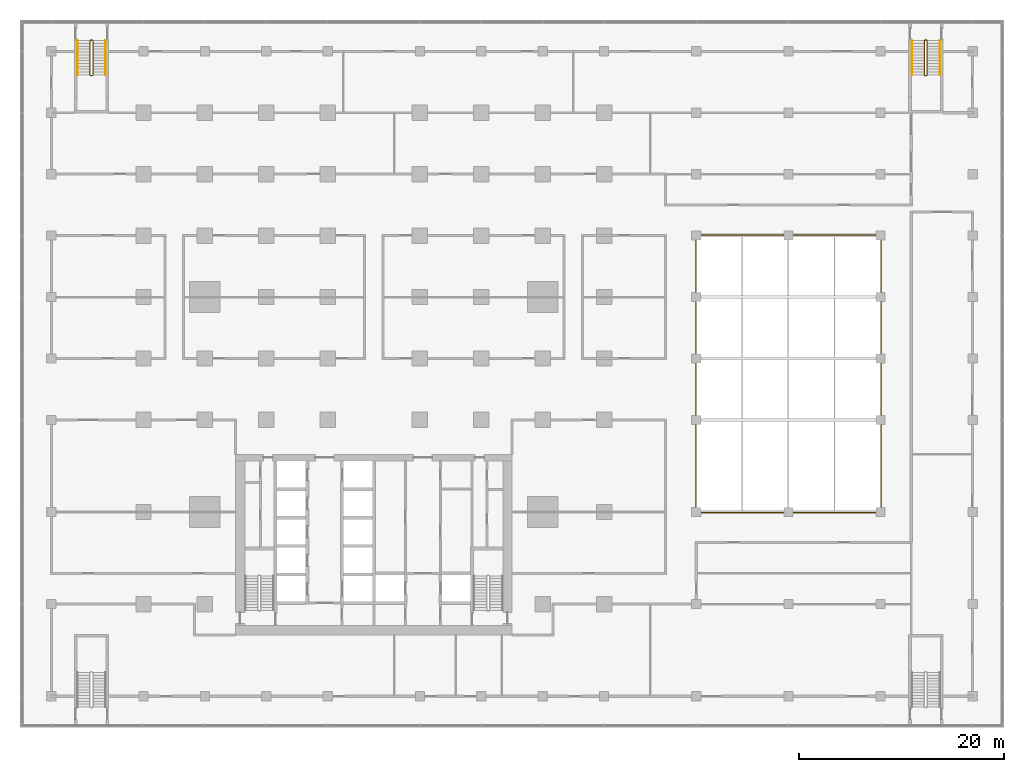
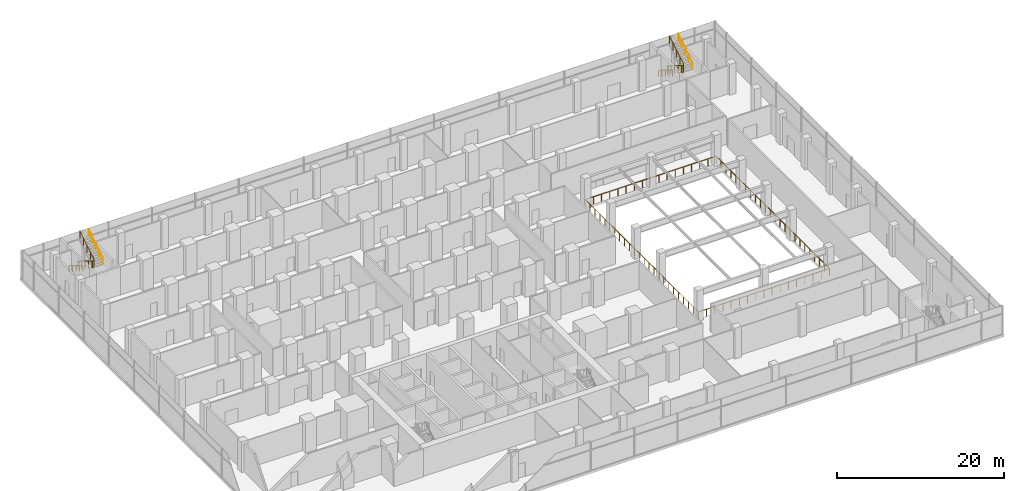
# One storey, part 22 of 22: 7 railings.
"""IFC4 building model written with IfcOpenShell, lengths in metres."""

import ifcopenshell
import ifcopenshell.guid

model = None  # the IFC model being written
_history = None  # IfcOwnerHistory: only IFC2X3 demands one
_inside = {}  # id of a spatial element -> (the spatial element, [elements in it])
_under = {}  # id of a project, library or spatial element -> (it, [spatial elements below it])
_declared = {}  # id of a project -> (the project, [libraries it declares])
_typed = {}  # id of a type object -> (the type object, [elements of that type])
_made_of = {}  # id of a material, layer set ... -> (it, [elements and type objects made of it])


def new_model(schema):
    """Start an empty IFC model of exactly this schema.

    Asked for "IFC4X3", IfcOpenShell would pick the latest addendum, in which some entities
    have other attributes; the version numbers below select the first issue.
    IFC2X3 requires an IfcOwnerHistory on every rooted entity: one is made here for all.
    """
    global model, _history
    if schema == "IFC4X3":
        model = ifcopenshell.file(schema_version=(4, 3, 0, 0))
    else:
        model = ifcopenshell.file(schema=schema)
    _inside.clear()
    _under.clear()
    _declared.clear()
    _typed.clear()
    _made_of.clear()
    _history = None
    if model.schema == "IFC2X3":
        org = make("IfcOrganization", Name="unknown")
        user = make(
            "IfcPersonAndOrganization",
            ThePerson=make("IfcPerson", FamilyName="unknown"),
            TheOrganization=org,
        )
        app = make(
            "IfcApplication",
            ApplicationDeveloper=org,
            Version="unknown",
            ApplicationFullName="unknown",
            ApplicationIdentifier="unknown",
        )
        _history = make(
            "IfcOwnerHistory",
            OwningUser=user,
            OwningApplication=app,
            ChangeAction="ADDED",
            CreationDate=0,
        )
    return model


def make(cls, **values):
    """One entity of the class cls with the attributes given. An attribute that is None is left unset."""
    return model.create_entity(
        cls, **{name: value for name, value in values.items() if value is not None}
    )


def rooted(cls, **values):
    """An entity with a GlobalId (a new one), such as an element, a storey or a relation."""
    return make(cls, GlobalId=ifcopenshell.guid.new(), OwnerHistory=_history, **values)


def si_unit(unit_type, name, prefix=None):
    """IfcSIUnit, for example si_unit("LENGTHUNIT", "METRE", prefix="MILLI")."""
    return make("IfcSIUnit", UnitType=unit_type, Prefix=prefix, Name=name)


def assignment(units):
    """IfcUnitAssignment: the units of a project."""
    return None if units is None else make("IfcUnitAssignment", Units=units)


def point(xyz):
    """IfcCartesianPoint."""
    return None if xyz is None else make("IfcCartesianPoint", Coordinates=xyz)


def direction(xyz):
    """IfcDirection."""
    return None if xyz is None else make("IfcDirection", DirectionRatios=xyz)


def frame(location, z_axis=None, x_axis=None):
    """IfcAxis2Placement3D, a coordinate frame: its origin and axes. An axis left out is left unset."""
    return make(
        "IfcAxis2Placement3D",
        Location=point(location),
        Axis=direction(z_axis),
        RefDirection=direction(x_axis),
    )


def frame_2d(location, x_axis=None):
    """IfcAxis2Placement2D, a coordinate frame in the plane: its origin and x axis."""
    return make(
        "IfcAxis2Placement2D", Location=point(location), RefDirection=direction(x_axis)
    )


def origin():
    """The frame at (0, 0, 0) with its axes left unset."""
    return frame((0.0, 0.0, 0.0))


def origin_2d():
    """The frame at (0, 0) in the plane with its x axis left unset."""
    return frame_2d((0.0, 0.0))


def place(relative_to, where):
    """IfcLocalPlacement: puts the frame where relative to a parent placement (None: the world)."""
    return make(
        "IfcLocalPlacement", PlacementRelTo=relative_to, RelativePlacement=where
    )


def context(
    kind, dimensions, precision=None, world=None, true_north=None, identifier=None
):
    """IfcGeometricRepresentationContext, for example the 3D "Model" context."""
    return make(
        "IfcGeometricRepresentationContext",
        ContextIdentifier=identifier,
        ContextType=kind,
        CoordinateSpaceDimension=dimensions,
        Precision=precision,
        WorldCoordinateSystem=world,
        TrueNorth=true_north,
    )


def subcontext(parent, identifier, kind, view, scale=None):
    """IfcGeometricRepresentationSubContext, for example "Body" below "Model"."""
    return make(
        "IfcGeometricRepresentationSubContext",
        ContextIdentifier=identifier,
        ContextType=kind,
        ParentContext=parent,
        TargetScale=scale,
        TargetView=view,
    )


def project(units=None, contexts=None):
    """IfcProject with its units and contexts."""
    return rooted(
        "IfcProject",
        Name="project",
        RepresentationContexts=contexts,
        UnitsInContext=assignment(units),
    )


def spatial(cls, under=None, at=None, **own):
    """A site, building, storey or space (cls), placed at a placement, below another one or the project."""
    s = rooted(cls, ObjectPlacement=at, **own)
    if under is not None:
        _under.setdefault(under.id(), (under, []))[1].append(s)
    return s


def profile(cls, at=None, kind="AREA", **sizes):
    """A parametric profile (cls). Its sizes go by their IFC names, for example OverallWidth=200.0."""
    return make(cls, ProfileType=kind, Position=at, **sizes)


def circle(**sizes):
    """IfcCircleProfileDef."""
    return profile("IfcCircleProfileDef", **sizes)


def extrude(swept, where, along, depth):
    """IfcExtrudedAreaSolid: the profile swept, set in the frame where, extruded along a direction by depth."""
    return make(
        "IfcExtrudedAreaSolid",
        SweptArea=swept,
        Position=where,
        ExtrudedDirection=direction(along),
        Depth=depth,
    )


def shape(context_of_items, identifier, shape_type, items):
    """IfcShapeRepresentation: the items that make up one representation, for example the "Body"."""
    return make(
        "IfcShapeRepresentation",
        ContextOfItems=context_of_items,
        RepresentationIdentifier=identifier,
        RepresentationType=shape_type,
        Items=items,
    )


def material(Name=None, Category=None):
    """IfcMaterial."""
    return make("IfcMaterial", Name=Name, Category=Category)


def made_of(thing, what):
    """Note that an element or type object is made of a material, layer set ...; save() writes the relation."""
    if what is not None:
        _made_of.setdefault(what.id(), (what, []))[1].append(thing)
    return thing


def type_object(cls, material=None, **own):
    """A type object (cls), such as IfcWallType, which elements share."""
    return made_of(rooted(cls, **own), material)


def element(
    cls,
    number,
    at=None,
    inside=None,
    cuts=None,
    type_object=None,
    material=None,
    context=None,
    identifier="Body",
    shape_type=None,
    held_by="IfcProductDefinitionShape",
    body=None,
    shapes=None,
    **own,
):
    """One element of the class cls, such as IfcWall. Its Tag is "e" and its number.

    at: its placement. inside: the storey or other place that contains it. cuts: it is an
    opening in that element (IfcRelVoidsElement). A single representation is given by context,
    identifier, shape_type and body (its items); several are given by shapes. held_by: the class
    of the entity that holds the representations. save() writes the other relations.
    """
    e = rooted(cls, Tag="e%d" % number, ObjectPlacement=at, **own)
    if body is not None:
        shapes = [shape(context, identifier, shape_type, body)]
    if shapes is not None:
        e.Representation = make(held_by, Representations=shapes)
    if inside is not None:
        _inside.setdefault(inside.id(), (inside, []))[1].append(e)
    if cuts is not None:
        rooted(
            "IfcRelVoidsElement", RelatingBuildingElement=cuts, RelatedOpeningElement=e
        )
    if type_object is not None:
        _typed.setdefault(type_object.id(), (type_object, []))[1].append(e)
    return made_of(e, material)


def aggregate(whole, parts):
    """IfcRelAggregates: a whole, such as a stair, and the parts it consists of."""
    return rooted("IfcRelAggregates", RelatingObject=whole, RelatedObjects=parts)


def save(model, path):
    """Write the relations noted so far, then the file.

    IfcRelAggregates (storeys below a building ...), IfcRelContainedInSpatialStructure (elements
    in a storey), IfcRelDefinesByType, IfcRelAssociatesMaterial and IfcRelDeclares: one each for
    every whole, place, type object, material and project.
    """
    for whole, parts in _under.values():
        aggregate(whole, parts)
    for where, things in _inside.values():
        rooted(
            "IfcRelContainedInSpatialStructure",
            RelatedElements=things,
            RelatingStructure=where,
        )
    for kind, things in _typed.values():
        rooted("IfcRelDefinesByType", RelatedObjects=things, RelatingType=kind)
    for what, things in _made_of.values():
        rooted("IfcRelAssociatesMaterial", RelatedObjects=things, RelatingMaterial=what)
    for by, libraries in _declared.values():
        rooted("IfcRelDeclares", RelatingContext=by, RelatedDefinitions=libraries)
    model.write(path)


model = new_model("IFC4")

# Units and contexts
model_context = context("Model", 3, precision=1e-05, world=origin(), true_north=direction((0.0, 1.0)))
body_context = subcontext(model_context, "Body", "Model", "MODEL_VIEW")
ifc_project = project(units=[si_unit("LENGTHUNIT", "METRE"), si_unit("AREAUNIT", "SQUARE_METRE"), si_unit("VOLUMEUNIT", "CUBIC_METRE"), si_unit("PLANEANGLEUNIT", "RADIAN"), si_unit("MASSUNIT", "GRAM", prefix="KILO")], contexts=[model_context])

# Site, building, storey
site_placement = place(None, origin())
site = spatial("IfcSite", under=ifc_project, at=site_placement, CompositionType="ELEMENT")
building_placement = place(site_placement, origin())
building = spatial("IfcBuilding", under=site, at=building_placement, Name="Finial Court Residences", CompositionType="ELEMENT")
storey_placement = place(building_placement, frame((0.0, 0.0, 28.0)))
storey = spatial("IfcBuildingStorey", under=building, at=storey_placement, Name="L05", CompositionType="ELEMENT", Elevation=28.0)

# Railings
ifc_material_1 = material(Name="Bronze anodised aluminium", Category="aluminium")
railing_type_1 = type_object("IfcRailingType", Name="Atrium gallery guard 1100", PredefinedType="GUARDRAIL", material=ifc_material_1)
railing_1_placement = place(storey_placement, frame((31.449951171875, -13.550048828125, 0.0)))
element("IfcRailing", 1, at=railing_1_placement, inside=storey, type_object=railing_type_1, Name="L05 atrium gallery guard", PredefinedType="GUARDRAIL", context=body_context, shape_type="SweptSolid", body=[
    extrude(circle(Radius=0.02392578125, at=origin_2d()), frame((0.0, 0.0, 1.076171875), z_axis=(1.0, 0.0, 0.0), x_axis=(0.0, 1.0, 0.0)), (0.0, 0.0, 1.0), 18.10009765625),
    extrude(circle(Radius=0.02392578125, at=origin_2d()), frame((18.10009765625, 0.0, 1.076171875), z_axis=(0.0, 1.0, 0.0), x_axis=(-1.0, 0.0, 0.0)), (0.0, 0.0, 1.0), 27.10009765625),
    extrude(circle(Radius=0.02392578125, at=origin_2d()), frame((18.10009765625, 27.10009765625, 1.076171875), z_axis=(-1.0, 0.0, 0.0), x_axis=(0.0, -1.0, 0.0)), (0.0, 0.0, 1.0), 18.10009765625),
    extrude(circle(Radius=0.02392578125, at=origin_2d()), frame((0.0, 27.10009765625, 1.076171875), z_axis=(0.0, -1.0, 0.0), x_axis=(1.0, 0.0, 0.0)), (0.0, 0.0, 1.0), 27.0400390625),
    extrude(circle(Radius=0.02099609375, at=origin_2d()), origin(), (0.0, 0.0, 1.0), 1.052001953125),
    extrude(circle(Radius=0.02099609375, at=origin_2d()), frame((1.13134765625, 0.0, 0.0)), (0.0, 0.0, 1.0), 1.052001953125),
    extrude(circle(Radius=0.02099609375, at=origin_2d()), frame((2.262451171875, 0.0, 0.0)), (0.0, 0.0, 1.0), 1.052001953125),
    extrude(circle(Radius=0.02099609375, at=origin_2d()), frame((3.393798828125, 0.0, 0.0)), (0.0, 0.0, 1.0), 1.052001953125),
    extrude(circle(Radius=0.02099609375, at=origin_2d()), frame((4.52490234375, 0.0, 0.0)), (0.0, 0.0, 1.0), 1.052001953125),
    extrude(circle(Radius=0.02099609375, at=origin_2d()), frame((5.65625, 0.0, 0.0)), (0.0, 0.0, 1.0), 1.052001953125),
    extrude(circle(Radius=0.02099609375, at=origin_2d()), frame((6.78759765625, 0.0, 0.0)), (0.0, 0.0, 1.0), 1.052001953125),
    extrude(circle(Radius=0.02099609375, at=origin_2d()), frame((7.918701171875, 0.0, 0.0)), (0.0, 0.0, 1.0), 1.052001953125),
    extrude(circle(Radius=0.02099609375, at=origin_2d()), frame((9.050048828125, 0.0, 0.0)), (0.0, 0.0, 1.0), 1.052001953125),
    extrude(circle(Radius=0.02099609375, at=origin_2d()), frame((10.181396484375, 0.0, 0.0)), (0.0, 0.0, 1.0), 1.052001953125),
    extrude(circle(Radius=0.02099609375, at=origin_2d()), frame((11.3125, 0.0, 0.0)), (0.0, 0.0, 1.0), 1.052001953125),
    extrude(circle(Radius=0.02099609375, at=origin_2d()), frame((12.44384765625, 0.0, 0.0)), (0.0, 0.0, 1.0), 1.052001953125),
    extrude(circle(Radius=0.02099609375, at=origin_2d()), frame((13.5751953125, 0.0, 0.0)), (0.0, 0.0, 1.0), 1.052001953125),
    extrude(circle(Radius=0.02099609375, at=origin_2d()), frame((14.706298828125, 0.0, 0.0)), (0.0, 0.0, 1.0), 1.052001953125),
    extrude(circle(Radius=0.02099609375, at=origin_2d()), frame((15.837646484375, 0.0, 0.0)), (0.0, 0.0, 1.0), 1.052001953125),
    extrude(circle(Radius=0.02099609375, at=origin_2d()), frame((16.96875, 0.0, 0.0)), (0.0, 0.0, 1.0), 1.052001953125),
    extrude(circle(Radius=0.02099609375, at=origin_2d()), frame((18.10009765625, 0.0, 0.0)), (0.0, 0.0, 1.0), 1.052001953125),
    extrude(circle(Radius=0.02099609375, at=origin_2d()), frame((18.10009765625, 1.17822265625, 0.0)), (0.0, 0.0, 1.0), 1.052001953125),
    extrude(circle(Radius=0.02099609375, at=origin_2d()), frame((18.10009765625, 2.3564453125, 0.0)), (0.0, 0.0, 1.0), 1.052001953125),
    extrude(circle(Radius=0.02099609375, at=origin_2d()), frame((18.10009765625, 3.534912109375, 0.0)), (0.0, 0.0, 1.0), 1.052001953125),
    extrude(circle(Radius=0.02099609375, at=origin_2d()), frame((18.10009765625, 4.713134765625, 0.0)), (0.0, 0.0, 1.0), 1.052001953125),
    extrude(circle(Radius=0.02099609375, at=origin_2d()), frame((18.10009765625, 5.891357421875, 0.0)), (0.0, 0.0, 1.0), 1.052001953125),
    extrude(circle(Radius=0.02099609375, at=origin_2d()), frame((18.10009765625, 7.069580078125, 0.0)), (0.0, 0.0, 1.0), 1.052001953125),
    extrude(circle(Radius=0.02099609375, at=origin_2d()), frame((18.10009765625, 8.247802734375, 0.0)), (0.0, 0.0, 1.0), 1.052001953125),
    extrude(circle(Radius=0.02099609375, at=origin_2d()), frame((18.10009765625, 9.426025390625, 0.0)), (0.0, 0.0, 1.0), 1.052001953125),
    extrude(circle(Radius=0.02099609375, at=origin_2d()), frame((18.10009765625, 10.6044921875, 0.0)), (0.0, 0.0, 1.0), 1.052001953125),
    extrude(circle(Radius=0.02099609375, at=origin_2d()), frame((18.10009765625, 11.78271484375, 0.0)), (0.0, 0.0, 1.0), 1.052001953125),
    extrude(circle(Radius=0.02099609375, at=origin_2d()), frame((18.10009765625, 12.9609375, 0.0)), (0.0, 0.0, 1.0), 1.052001953125),
    extrude(circle(Radius=0.02099609375, at=origin_2d()), frame((18.10009765625, 14.13916015625, 0.0)), (0.0, 0.0, 1.0), 1.052001953125),
    extrude(circle(Radius=0.02099609375, at=origin_2d()), frame((18.10009765625, 15.3173828125, 0.0)), (0.0, 0.0, 1.0), 1.052001953125),
    extrude(circle(Radius=0.02099609375, at=origin_2d()), frame((18.10009765625, 16.49560546875, 0.0)), (0.0, 0.0, 1.0), 1.052001953125),
    extrude(circle(Radius=0.02099609375, at=origin_2d()), frame((18.10009765625, 17.674072265625, 0.0)), (0.0, 0.0, 1.0), 1.052001953125),
    extrude(circle(Radius=0.02099609375, at=origin_2d()), frame((18.10009765625, 18.852294921875, 0.0)), (0.0, 0.0, 1.0), 1.052001953125),
    extrude(circle(Radius=0.02099609375, at=origin_2d()), frame((18.10009765625, 20.030517578125, 0.0)), (0.0, 0.0, 1.0), 1.052001953125),
    extrude(circle(Radius=0.02099609375, at=origin_2d()), frame((18.10009765625, 21.208740234375, 0.0)), (0.0, 0.0, 1.0), 1.052001953125),
    extrude(circle(Radius=0.02099609375, at=origin_2d()), frame((18.10009765625, 22.386962890625, 0.0)), (0.0, 0.0, 1.0), 1.052001953125),
    extrude(circle(Radius=0.02099609375, at=origin_2d()), frame((18.10009765625, 23.565185546875, 0.0)), (0.0, 0.0, 1.0), 1.052001953125),
    extrude(circle(Radius=0.02099609375, at=origin_2d()), frame((18.10009765625, 24.74365234375, 0.0)), (0.0, 0.0, 1.0), 1.052001953125),
    extrude(circle(Radius=0.02099609375, at=origin_2d()), frame((18.10009765625, 25.921875, 0.0)), (0.0, 0.0, 1.0), 1.052001953125),
    extrude(circle(Radius=0.02099609375, at=origin_2d()), frame((18.10009765625, 27.10009765625, 0.0)), (0.0, 0.0, 1.0), 1.052001953125),
    extrude(circle(Radius=0.02099609375, at=origin_2d()), frame((16.96875, 27.10009765625, 0.0)), (0.0, 0.0, 1.0), 1.052001953125),
    extrude(circle(Radius=0.02099609375, at=origin_2d()), frame((15.837646484375, 27.10009765625, 0.0)), (0.0, 0.0, 1.0), 1.052001953125),
    extrude(circle(Radius=0.02099609375, at=origin_2d()), frame((14.706298828125, 27.10009765625, 0.0)), (0.0, 0.0, 1.0), 1.052001953125),
    extrude(circle(Radius=0.02099609375, at=origin_2d()), frame((13.5751953125, 27.10009765625, 0.0)), (0.0, 0.0, 1.0), 1.052001953125),
    extrude(circle(Radius=0.02099609375, at=origin_2d()), frame((12.44384765625, 27.10009765625, 0.0)), (0.0, 0.0, 1.0), 1.052001953125),
    extrude(circle(Radius=0.02099609375, at=origin_2d()), frame((11.3125, 27.10009765625, 0.0)), (0.0, 0.0, 1.0), 1.052001953125),
    extrude(circle(Radius=0.02099609375, at=origin_2d()), frame((10.181396484375, 27.10009765625, 0.0)), (0.0, 0.0, 1.0), 1.052001953125),
    extrude(circle(Radius=0.02099609375, at=origin_2d()), frame((9.050048828125, 27.10009765625, 0.0)), (0.0, 0.0, 1.0), 1.052001953125),
    extrude(circle(Radius=0.02099609375, at=origin_2d()), frame((7.918701171875, 27.10009765625, 0.0)), (0.0, 0.0, 1.0), 1.052001953125),
    extrude(circle(Radius=0.02099609375, at=origin_2d()), frame((6.78759765625, 27.10009765625, 0.0)), (0.0, 0.0, 1.0), 1.052001953125),
    extrude(circle(Radius=0.02099609375, at=origin_2d()), frame((5.65625, 27.10009765625, 0.0)), (0.0, 0.0, 1.0), 1.052001953125),
    extrude(circle(Radius=0.02099609375, at=origin_2d()), frame((4.52490234375, 27.10009765625, 0.0)), (0.0, 0.0, 1.0), 1.052001953125),
    extrude(circle(Radius=0.02099609375, at=origin_2d()), frame((3.393798828125, 27.10009765625, 0.0)), (0.0, 0.0, 1.0), 1.052001953125),
    extrude(circle(Radius=0.02099609375, at=origin_2d()), frame((2.262451171875, 27.10009765625, 0.0)), (0.0, 0.0, 1.0), 1.052001953125),
    extrude(circle(Radius=0.02099609375, at=origin_2d()), frame((1.13134765625, 27.10009765625, 0.0)), (0.0, 0.0, 1.0), 1.052001953125),
    extrude(circle(Radius=0.02099609375, at=origin_2d()), frame((0.0, 27.10009765625, 0.0)), (0.0, 0.0, 1.0), 1.052001953125),
    extrude(circle(Radius=0.02099609375, at=origin_2d()), frame((0.0, 25.924560546875, 0.0)), (0.0, 0.0, 1.0), 1.052001953125),
    extrude(circle(Radius=0.02099609375, at=origin_2d()), frame((0.0, 24.748779296875, 0.0)), (0.0, 0.0, 1.0), 1.052001953125),
    extrude(circle(Radius=0.02099609375, at=origin_2d()), frame((0.0, 23.5732421875, 0.0)), (0.0, 0.0, 1.0), 1.052001953125),
    extrude(circle(Radius=0.02099609375, at=origin_2d()), frame((0.0, 22.3974609375, 0.0)), (0.0, 0.0, 1.0), 1.052001953125),
    extrude(circle(Radius=0.02099609375, at=origin_2d()), frame((0.0, 21.221923828125, 0.0)), (0.0, 0.0, 1.0), 1.052001953125),
    extrude(circle(Radius=0.02099609375, at=origin_2d()), frame((0.0, 20.046142578125, 0.0)), (0.0, 0.0, 1.0), 1.052001953125),
    extrude(circle(Radius=0.02099609375, at=origin_2d()), frame((0.0, 18.87060546875, 0.0)), (0.0, 0.0, 1.0), 1.052001953125),
    extrude(circle(Radius=0.02099609375, at=origin_2d()), frame((0.0, 17.69482421875, 0.0)), (0.0, 0.0, 1.0), 1.052001953125),
    extrude(circle(Radius=0.02099609375, at=origin_2d()), frame((0.0, 16.519287109375, 0.0)), (0.0, 0.0, 1.0), 1.052001953125),
    extrude(circle(Radius=0.02099609375, at=origin_2d()), frame((0.0, 15.343505859375, 0.0)), (0.0, 0.0, 1.0), 1.052001953125),
    extrude(circle(Radius=0.02099609375, at=origin_2d()), frame((0.0, 14.16796875, 0.0)), (0.0, 0.0, 1.0), 1.052001953125),
    extrude(circle(Radius=0.02099609375, at=origin_2d()), frame((0.0, 12.9921875, 0.0)), (0.0, 0.0, 1.0), 1.052001953125),
    extrude(circle(Radius=0.02099609375, at=origin_2d()), frame((0.0, 11.816650390625, 0.0)), (0.0, 0.0, 1.0), 1.052001953125),
    extrude(circle(Radius=0.02099609375, at=origin_2d()), frame((0.0, 10.640869140625, 0.0)), (0.0, 0.0, 1.0), 1.052001953125),
    extrude(circle(Radius=0.02099609375, at=origin_2d()), frame((0.0, 9.46533203125, 0.0)), (0.0, 0.0, 1.0), 1.052001953125),
    extrude(circle(Radius=0.02099609375, at=origin_2d()), frame((0.0, 8.28955078125, 0.0)), (0.0, 0.0, 1.0), 1.052001953125),
    extrude(circle(Radius=0.02099609375, at=origin_2d()), frame((0.0, 7.114013671875, 0.0)), (0.0, 0.0, 1.0), 1.052001953125),
    extrude(circle(Radius=0.02099609375, at=origin_2d()), frame((0.0, 5.938232421875, 0.0)), (0.0, 0.0, 1.0), 1.052001953125),
    extrude(circle(Radius=0.02099609375, at=origin_2d()), frame((0.0, 4.7626953125, 0.0)), (0.0, 0.0, 1.0), 1.052001953125),
    extrude(circle(Radius=0.02099609375, at=origin_2d()), frame((0.0, 3.5869140625, 0.0)), (0.0, 0.0, 1.0), 1.052001953125),
    extrude(circle(Radius=0.02099609375, at=origin_2d()), frame((0.0, 2.411376953125, 0.0)), (0.0, 0.0, 1.0), 1.052001953125),
    extrude(circle(Radius=0.02099609375, at=origin_2d()), frame((0.0, 1.235595703125, 0.0)), (0.0, 0.0, 1.0), 1.052001953125),
    extrude(circle(Radius=0.02099609375, at=origin_2d()), frame((0.0, 0.06005859375, 0.0)), (0.0, 0.0, 1.0), 1.052001953125),
])
ifc_material_2 = material(Name="Stainless steel railing", Category="steel")
railing_type_2 = type_object("IfcRailingType", Name="Stair guard 1100", PredefinedType="GUARDRAIL", material=ifc_material_2)
railing_2_placement = place(storey_placement, frame((53.85009765625, 32.60009765625, 0.0)))
element("IfcRailing", 2, at=railing_2_placement, inside=storey, type_object=railing_type_2, Name="L05 ST-5 stair guard 1", PredefinedType="GUARDRAIL", context=body_context, shape_type="SweptSolid", body=[
    extrude(circle(Radius=0.02392578125, at=origin_2d()), frame((0.0, 0.0, 1.076171875), z_axis=(1.0, 0.0, 0.0), x_axis=(0.0, 1.0, 0.0)), (0.0, 0.0, 1.0), 0.14990234375),
    extrude(circle(Radius=0.02392578125, at=origin_2d()), frame((0.14990234375, 0.0, 1.076171875), z_axis=(-0.742869136974, -0.185944045274, 0.643094283413), x_axis=(0.242814311512, -0.970072785993, 0.0)), (0.0, 0.0, 1.0), 0.26904296875),
    extrude(circle(Radius=0.02392578125, at=origin_2d()), frame((-0.050048828125, -0.050048828125, 1.2490234375), z_axis=(0.0, -0.850623216509, 0.525775754039), x_axis=(1.0, 0.0, 0.0)), (0.0, 0.0, 1.0), 3.9501953125),
    extrude(circle(Radius=0.02392578125, at=origin_2d()), frame((-0.050048828125, -3.41015625, 3.326171875), z_axis=(0.707106781187, -0.707106781187, 0.0), x_axis=(0.707106781187, 0.707106781187, 0.0)), (0.0, 0.0, 1.0), 0.07080078125),
    extrude(circle(Radius=0.02392578125, at=origin_2d()), frame((0.0, -3.460205078125, 3.326171875), z_axis=(1.0, 0.0, 0.0), x_axis=(0.0, 1.0, 0.0)), (0.0, 0.0, 1.0), 0.14990234375),
    extrude(circle(Radius=0.02392578125, at=origin_2d()), frame((0.14990234375, -3.460205078125, 3.326171875), z_axis=(0.267629722418, 0.267629722418, 0.925607186314), x_axis=(-0.707106781187, 0.707106781187, 0.0)), (0.0, 0.0, 1.0), 0.18701171875),
    extrude(circle(Radius=0.02392578125, at=origin_2d()), frame((0.199951171875, -3.41015625, 3.4990234375), z_axis=(0.0, 0.850623216509, 0.525775754039), x_axis=(-1.0, 0.0, 0.0)), (0.0, 0.0, 1.0), 3.9501953125),
    extrude(circle(Radius=0.02099609375, at=origin_2d()), origin(), (0.0, 0.0, 1.0), 1.052001953125),
    extrude(circle(Radius=0.02099609375, at=origin_2d()), frame((0.14990234375, 0.0, 0.0)), (0.0, 0.0, 1.0), 1.052001953125),
    extrude(circle(Radius=0.02099609375, at=origin_2d()), frame((-0.050048828125, -0.050048828125, 0.173095703125)), (0.0, 0.0, 1.0), 1.052001953125),
    extrude(circle(Radius=0.02099609375, at=origin_2d()), frame((-0.050048828125, -0.89013671875, 0.6923828125)), (0.0, 0.0, 1.0), 1.052001953125),
    extrude(circle(Radius=0.02099609375, at=origin_2d()), frame((-0.050048828125, -1.72998046875, 1.21142578125)), (0.0, 0.0, 1.0), 1.052001953125),
    extrude(circle(Radius=0.02099609375, at=origin_2d()), frame((-0.050048828125, -2.570068359375, 1.730712890625)), (0.0, 0.0, 1.0), 1.052001953125),
    extrude(circle(Radius=0.02099609375, at=origin_2d()), frame((-0.050048828125, -3.41015625, 2.25)), (0.0, 0.0, 1.0), 1.052001953125),
    extrude(circle(Radius=0.02099609375, at=origin_2d()), frame((0.0, -3.460205078125, 2.25)), (0.0, 0.0, 1.0), 1.052001953125),
    extrude(circle(Radius=0.02099609375, at=origin_2d()), frame((0.14990234375, -3.460205078125, 2.25)), (0.0, 0.0, 1.0), 1.052001953125),
    extrude(circle(Radius=0.02099609375, at=origin_2d()), frame((0.199951171875, -3.41015625, 2.423095703125)), (0.0, 0.0, 1.0), 1.052001953125),
    extrude(circle(Radius=0.02099609375, at=origin_2d()), frame((0.199951171875, -2.570068359375, 2.9423828125)), (0.0, 0.0, 1.0), 1.052001953125),
    extrude(circle(Radius=0.02099609375, at=origin_2d()), frame((0.199951171875, -1.72998046875, 3.46142578125)), (0.0, 0.0, 1.0), 1.052001953125),
    extrude(circle(Radius=0.02099609375, at=origin_2d()), frame((0.199951171875, -0.89013671875, 3.980712890625)), (0.0, 0.0, 1.0), 1.052001953125),
    extrude(circle(Radius=0.02099609375, at=origin_2d()), frame((0.199951171875, -0.050048828125, 4.5)), (0.0, 0.0, 1.0), 1.052001953125),
])
railing_3_placement = place(storey_placement, frame((-27.64990234375, 32.60009765625, 0.0)))
element("IfcRailing", 3, at=railing_3_placement, inside=storey, type_object=railing_type_2, Name="L05 ST-6 stair guard 1", PredefinedType="GUARDRAIL", context=body_context, shape_type="SweptSolid", body=[
    extrude(circle(Radius=0.02392578125, at=origin_2d()), frame((0.0, 0.0, 1.076171875), z_axis=(1.0, 0.0, 0.0), x_axis=(0.0, 1.0, 0.0)), (0.0, 0.0, 1.0), 0.14990234375),
    extrude(circle(Radius=0.02392578125, at=origin_2d()), frame((0.14990234375, 0.0, 1.076171875), z_axis=(-0.742869136974, -0.185944045274, 0.643094283413), x_axis=(0.242814311512, -0.970072785993, 0.0)), (0.0, 0.0, 1.0), 0.26904296875),
    extrude(circle(Radius=0.02392578125, at=origin_2d()), frame((-0.050048828125, -0.050048828125, 1.2490234375), z_axis=(0.0, -0.850623216509, 0.525775754039), x_axis=(1.0, 0.0, 0.0)), (0.0, 0.0, 1.0), 3.9501953125),
    extrude(circle(Radius=0.02392578125, at=origin_2d()), frame((-0.050048828125, -3.41015625, 3.326171875), z_axis=(0.707106781187, -0.707106781187, 0.0), x_axis=(0.707106781187, 0.707106781187, 0.0)), (0.0, 0.0, 1.0), 0.07080078125),
    extrude(circle(Radius=0.02392578125, at=origin_2d()), frame((0.0, -3.460205078125, 3.326171875), z_axis=(1.0, 0.0, 0.0), x_axis=(0.0, 1.0, 0.0)), (0.0, 0.0, 1.0), 0.14990234375),
    extrude(circle(Radius=0.02392578125, at=origin_2d()), frame((0.14990234375, -3.460205078125, 3.326171875), z_axis=(0.267629722418, 0.267629722418, 0.925607186314), x_axis=(-0.707106781187, 0.707106781187, 0.0)), (0.0, 0.0, 1.0), 0.18701171875),
    extrude(circle(Radius=0.02392578125, at=origin_2d()), frame((0.199951171875, -3.41015625, 3.4990234375), z_axis=(0.0, 0.850623216509, 0.525775754039), x_axis=(-1.0, 0.0, 0.0)), (0.0, 0.0, 1.0), 3.9501953125),
    extrude(circle(Radius=0.02099609375, at=origin_2d()), origin(), (0.0, 0.0, 1.0), 1.052001953125),
    extrude(circle(Radius=0.02099609375, at=origin_2d()), frame((0.14990234375, 0.0, 0.0)), (0.0, 0.0, 1.0), 1.052001953125),
    extrude(circle(Radius=0.02099609375, at=origin_2d()), frame((-0.050048828125, -0.050048828125, 0.173095703125)), (0.0, 0.0, 1.0), 1.052001953125),
    extrude(circle(Radius=0.02099609375, at=origin_2d()), frame((-0.050048828125, -0.89013671875, 0.6923828125)), (0.0, 0.0, 1.0), 1.052001953125),
    extrude(circle(Radius=0.02099609375, at=origin_2d()), frame((-0.050048828125, -1.72998046875, 1.21142578125)), (0.0, 0.0, 1.0), 1.052001953125),
    extrude(circle(Radius=0.02099609375, at=origin_2d()), frame((-0.050048828125, -2.570068359375, 1.730712890625)), (0.0, 0.0, 1.0), 1.052001953125),
    extrude(circle(Radius=0.02099609375, at=origin_2d()), frame((-0.050048828125, -3.41015625, 2.25)), (0.0, 0.0, 1.0), 1.052001953125),
    extrude(circle(Radius=0.02099609375, at=origin_2d()), frame((0.0, -3.460205078125, 2.25)), (0.0, 0.0, 1.0), 1.052001953125),
    extrude(circle(Radius=0.02099609375, at=origin_2d()), frame((0.14990234375, -3.460205078125, 2.25)), (0.0, 0.0, 1.0), 1.052001953125),
    extrude(circle(Radius=0.02099609375, at=origin_2d()), frame((0.199951171875, -3.41015625, 2.423095703125)), (0.0, 0.0, 1.0), 1.052001953125),
    extrude(circle(Radius=0.02099609375, at=origin_2d()), frame((0.199951171875, -2.570068359375, 2.9423828125)), (0.0, 0.0, 1.0), 1.052001953125),
    extrude(circle(Radius=0.02099609375, at=origin_2d()), frame((0.199951171875, -1.72998046875, 3.46142578125)), (0.0, 0.0, 1.0), 1.052001953125),
    extrude(circle(Radius=0.02099609375, at=origin_2d()), frame((0.199951171875, -0.89013671875, 3.980712890625)), (0.0, 0.0, 1.0), 1.052001953125),
    extrude(circle(Radius=0.02099609375, at=origin_2d()), frame((0.199951171875, -0.050048828125, 4.5)), (0.0, 0.0, 1.0), 1.052001953125),
])
railing_type_3 = type_object("IfcRailingType", Name="Stair handrail 900", PredefinedType="HANDRAIL", material=ifc_material_2)
railing_4_placement = place(storey_placement, frame((52.550048828125, 32.550048828125, 0.173095703125)))
element("IfcRailing", 4, at=railing_4_placement, inside=storey, type_object=railing_type_3, Name="L05 ST-5 stair handrail 1", PredefinedType="HANDRAIL", context=body_context, shape_type="SweptSolid", body=[
    extrude(circle(Radius=0.02392578125, at=origin_2d()), frame((0.0, 0.0, 0.8759765625), z_axis=(0.0, -0.850623216509, 0.525775754039), x_axis=(1.0, 0.0, 0.0)), (0.0, 0.0, 1.0), 3.9501953125),
    extrude(circle(Radius=0.02099609375, at=origin_2d()), origin(), (0.0, 0.0, 1.0), 0.851806640625),
    extrude(circle(Radius=0.02099609375, at=origin_2d()), frame((0.0, -0.840087890625, 0.519287109375)), (0.0, 0.0, 1.0), 0.851806640625),
    extrude(circle(Radius=0.02099609375, at=origin_2d()), frame((0.0, -1.68017578125, 1.03857421875)), (0.0, 0.0, 1.0), 0.851806640625),
    extrude(circle(Radius=0.02099609375, at=origin_2d()), frame((0.0, -2.52001953125, 1.5576171875)), (0.0, 0.0, 1.0), 0.851806640625),
    extrude(circle(Radius=0.02099609375, at=origin_2d()), frame((0.0, -3.360107421875, 2.076904296875)), (0.0, 0.0, 1.0), 0.851806640625),
])
railing_5_placement = place(storey_placement, frame((55.300048828125, 29.18994140625, 2.423095703125)))
element("IfcRailing", 5, at=railing_5_placement, inside=storey, type_object=railing_type_3, Name="L05 ST-5 stair handrail 2", PredefinedType="HANDRAIL", context=body_context, shape_type="SweptSolid", body=[
    extrude(circle(Radius=0.02392578125, at=origin_2d()), frame((0.0, 0.0, 0.8759765625), z_axis=(0.0, 0.850623216509, 0.525775754039), x_axis=(-1.0, 0.0, 0.0)), (0.0, 0.0, 1.0), 3.9501953125),
    extrude(circle(Radius=0.02099609375, at=origin_2d()), origin(), (0.0, 0.0, 1.0), 0.851806640625),
    extrude(circle(Radius=0.02099609375, at=origin_2d()), frame((0.0, 0.840087890625, 0.519287109375)), (0.0, 0.0, 1.0), 0.851806640625),
    extrude(circle(Radius=0.02099609375, at=origin_2d()), frame((0.0, 1.68017578125, 1.03857421875)), (0.0, 0.0, 1.0), 0.851806640625),
    extrude(circle(Radius=0.02099609375, at=origin_2d()), frame((0.0, 2.52001953125, 1.5576171875)), (0.0, 0.0, 1.0), 0.851806640625),
    extrude(circle(Radius=0.02099609375, at=origin_2d()), frame((0.0, 3.360107421875, 2.076904296875)), (0.0, 0.0, 1.0), 0.851806640625),
])
railing_6_placement = place(storey_placement, frame((-28.949951171875, 32.550048828125, 0.173095703125)))
element("IfcRailing", 6, at=railing_6_placement, inside=storey, type_object=railing_type_3, Name="L05 ST-6 stair handrail 1", PredefinedType="HANDRAIL", context=body_context, shape_type="SweptSolid", body=[
    extrude(circle(Radius=0.02392578125, at=origin_2d()), frame((0.0, 0.0, 0.8759765625), z_axis=(0.0, -0.850623216509, 0.525775754039), x_axis=(1.0, 0.0, 0.0)), (0.0, 0.0, 1.0), 3.9501953125),
    extrude(circle(Radius=0.02099609375, at=origin_2d()), origin(), (0.0, 0.0, 1.0), 0.851806640625),
    extrude(circle(Radius=0.02099609375, at=origin_2d()), frame((0.0, -0.840087890625, 0.519287109375)), (0.0, 0.0, 1.0), 0.851806640625),
    extrude(circle(Radius=0.02099609375, at=origin_2d()), frame((0.0, -1.68017578125, 1.03857421875)), (0.0, 0.0, 1.0), 0.851806640625),
    extrude(circle(Radius=0.02099609375, at=origin_2d()), frame((0.0, -2.52001953125, 1.5576171875)), (0.0, 0.0, 1.0), 0.851806640625),
    extrude(circle(Radius=0.02099609375, at=origin_2d()), frame((0.0, -3.360107421875, 2.076904296875)), (0.0, 0.0, 1.0), 0.851806640625),
])
railing_7_placement = place(storey_placement, frame((-26.199951171875, 29.18994140625, 2.423095703125)))
element("IfcRailing", 7, at=railing_7_placement, inside=storey, type_object=railing_type_3, Name="L05 ST-6 stair handrail 2", PredefinedType="HANDRAIL", context=body_context, shape_type="SweptSolid", body=[
    extrude(circle(Radius=0.02392578125, at=origin_2d()), frame((0.0, 0.0, 0.8759765625), z_axis=(0.0, 0.850623216509, 0.525775754039), x_axis=(-1.0, 0.0, 0.0)), (0.0, 0.0, 1.0), 3.9501953125),
    extrude(circle(Radius=0.02099609375, at=origin_2d()), origin(), (0.0, 0.0, 1.0), 0.851806640625),
    extrude(circle(Radius=0.02099609375, at=origin_2d()), frame((0.0, 0.840087890625, 0.519287109375)), (0.0, 0.0, 1.0), 0.851806640625),
    extrude(circle(Radius=0.02099609375, at=origin_2d()), frame((0.0, 1.68017578125, 1.03857421875)), (0.0, 0.0, 1.0), 0.851806640625),
    extrude(circle(Radius=0.02099609375, at=origin_2d()), frame((0.0, 2.52001953125, 1.5576171875)), (0.0, 0.0, 1.0), 0.851806640625),
    extrude(circle(Radius=0.02099609375, at=origin_2d()), frame((0.0, 3.360107421875, 2.076904296875)), (0.0, 0.0, 1.0), 0.851806640625),
])

save(model, "model.ifc")
